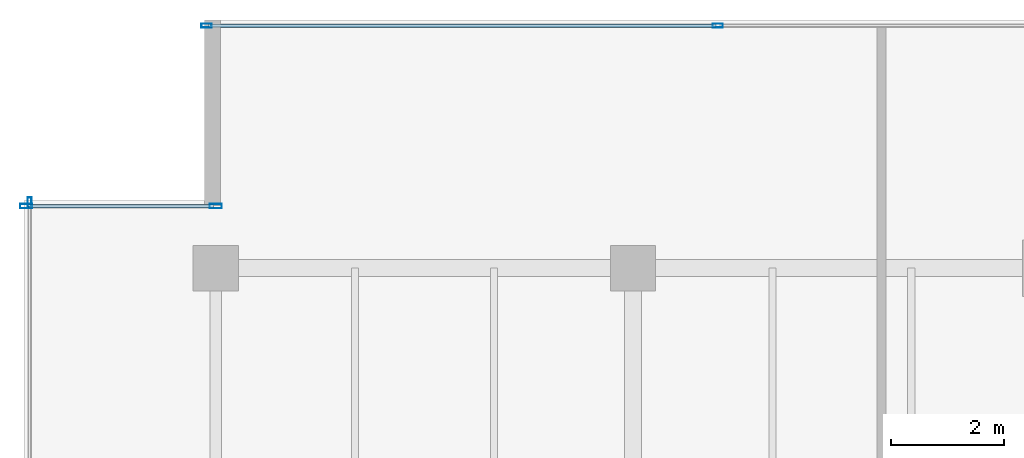
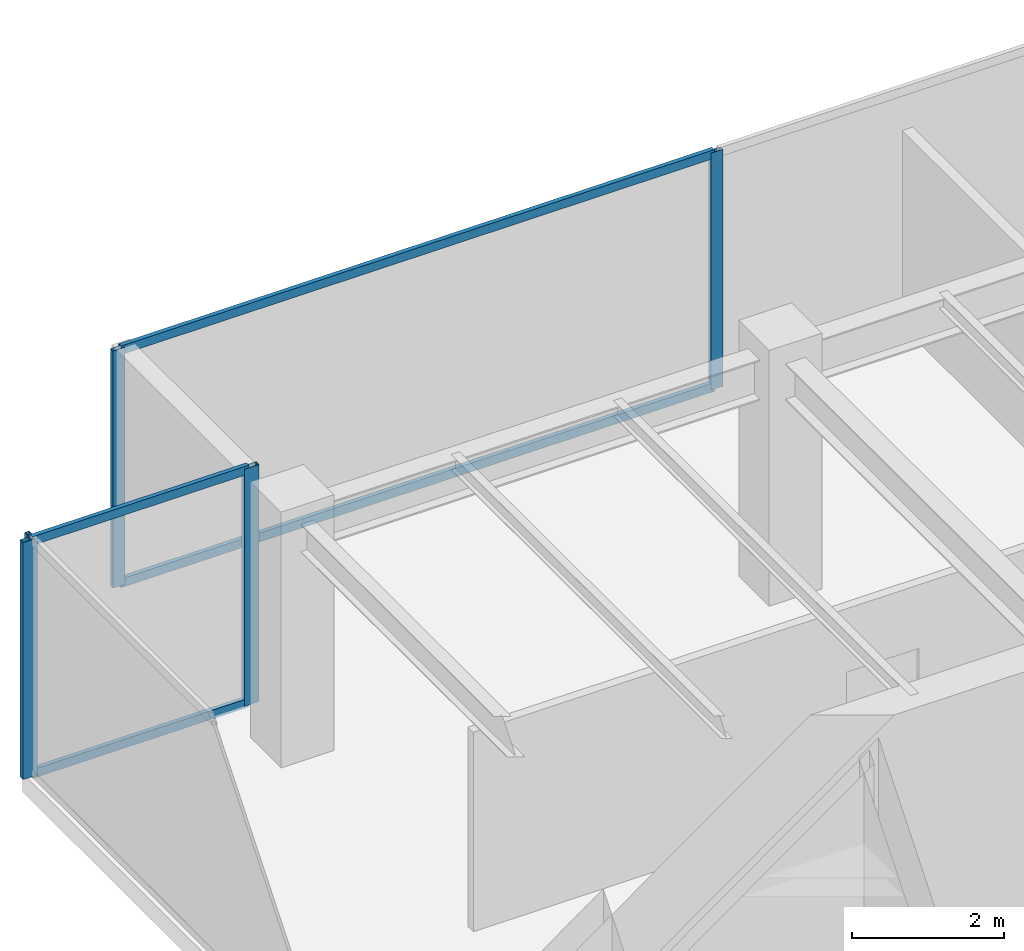
# One storey, part 15 of 33: 9 members, 3 elements without a shape of their own.
"""IFC4 building model written with IfcOpenShell, lengths in metres."""

from ifc_helpers import new_model, si_unit, direction, frame, origin, origin_2d, place, context, subcontext, project, spatial, hollow_rectangle, extrude, source, transform, mapped, material, layer, layer_set, material_profile, profile_set, type_object, type_shapes, element, aggregate, save


model = new_model("IFC4")

# Units and contexts
model_context = context("Model", 3, precision=1e-05, world=origin(), true_north=direction((0.0, 1.0)))
body_context = subcontext(model_context, "Body", "Model", "MODEL_VIEW")
ifc_project = project(units=[si_unit("LENGTHUNIT", "METRE"), si_unit("AREAUNIT", "SQUARE_METRE"), si_unit("VOLUMEUNIT", "CUBIC_METRE"), si_unit("PLANEANGLEUNIT", "RADIAN"), si_unit("MASSUNIT", "GRAM", prefix="KILO")], contexts=[model_context])

# Site, building, storey
site_placement = place(None, origin())
site = spatial("IfcSite", under=ifc_project, at=site_placement, CompositionType="ELEMENT")
building_placement = place(site_placement, origin())
building = spatial("IfcBuilding", under=site, at=building_placement, Name="Haelvirn Gate Laboratories", CompositionType="ELEMENT")
storey_placement = place(building_placement, frame((0.0, 0.0, 279.300048828125)))
storey = spatial("IfcBuildingStorey", under=building, at=storey_placement, Name="L67", CompositionType="ELEMENT", Elevation=279.300048828125)

# Curtain wall, members
ifc_material_1 = material(Name="Anodised bronze unitised aluminium & triple low-E glass", Category="aluminium")
ifc_layer_1 = layer(ifc_material_1, 0.181884765625, Name="CW-SYS-5")
ifc_layer_set_1 = layer_set([ifc_layer_1], Name="Anodised bronze unitised aluminium & triple low-E glass")
curtain_wall_type_1 = type_object("IfcCurtainWallType", Name="CW-SYS-5", PredefinedType="NOTDEFINED", material=ifc_layer_set_1)
curtain_wall_1_placement = place(storey_placement, origin())
curtain_wall_1 = element("IfcCurtainWall", 1, at=curtain_wall_1_placement, inside=storey, type_object=curtain_wall_type_1, Name="L67 Unitised Curtain Wall CW-L67-P0-E16-1", PredefinedType="NOTDEFINED")
ifc_material_2 = material(Name="Extruded aluminium 6063-T6 (anodised bronze)", Category="aluminium")
ifc_material_profile_1 = material_profile(ifc_material_2, hollow_rectangle(XDim=0.06494140625, YDim=0.139892578125, WallThickness=0.00390625, at=origin_2d()), Name="CWT-140x65x4")
ifc_profile_set_1 = profile_set([ifc_material_profile_1], Name="Extruded aluminium 6063-T6 (anodised bronze)")
member_type_1 = type_object("IfcMemberType", Name="CWT-T140", PredefinedType="USERDEFINED", material=ifc_profile_set_1)
shared_shape_1 = source(origin(), body_context, "Body", "SweptSolid", [
    extrude(hollow_rectangle(XDim=0.06494140625, YDim=0.139892578125, WallThickness=0.00390625, at=origin_2d()), origin(), (0.0, 0.0, 1.0), 3.280029296875),
])
member_1_placement = place(storey_placement, frame((4.080078125, 42.699951171875, 0.032470703125), z_axis=(1.0, 0.0, 0.0), x_axis=(0.0, 1.0, 0.0)))
member_1 = element("IfcMember", 2, at=member_1_placement, type_object=member_type_1, Name="CW5 transom 1.1", ObjectType="TRANSOM", PredefinedType="USERDEFINED", context=body_context, shape_type="MappedRepresentation", body=[
    mapped(shared_shape_1, transform((0.0, 0.0, 0.0), scale=1.0)),
])
member_2_placement = place(storey_placement, frame((4.080078125, 42.699951171875, 3.767333984375), z_axis=(1.0, 0.0, 0.0), x_axis=(0.0, 1.0, 0.0)))
member_2 = element("IfcMember", 3, at=member_2_placement, type_object=member_type_1, Name="CW5 transom 1.2", ObjectType="TRANSOM", PredefinedType="USERDEFINED", context=body_context, shape_type="MappedRepresentation", body=[
    mapped(shared_shape_1, transform((0.0, 0.0, 0.0), scale=1.0)),
])

ifc_layer_2 = layer(ifc_material_1, 0.176025390625, Name="CW-SYS-4")
ifc_layer_set_2 = layer_set([ifc_layer_2], Name="Anodised bronze unitised aluminium & triple low-E glass")
curtain_wall_type_2 = type_object("IfcCurtainWallType", Name="CW-SYS-4", PredefinedType="NOTDEFINED", material=ifc_layer_set_2)
curtain_wall_2_placement = place(storey_placement, origin())
curtain_wall_2 = element("IfcCurtainWall", 4, at=curtain_wall_2_placement, inside=storey, type_object=curtain_wall_type_2, Name="L67 Unitised Curtain Wall CW-L67-P0-E14-1", PredefinedType="NOTDEFINED")
ifc_material_profile_2 = material_profile(ifc_material_2, hollow_rectangle(XDim=0.070068359375, YDim=0.179931640625, WallThickness=0.0048828125, at=origin_2d()), Name="CWM-180x70x5")
ifc_profile_set_2 = profile_set([ifc_material_profile_2], Name="Extruded aluminium 6063-T6 (anodised bronze)")
member_type_2 = type_object("IfcMemberType", Name="CWM-T180", PredefinedType="MULLION", material=ifc_profile_set_2)
shared_shape_2 = source(origin(), body_context, "Body", "SweptSolid", [
    extrude(hollow_rectangle(XDim=0.070068359375, YDim=0.179931640625, WallThickness=0.0048828125, at=origin_2d()), origin(), (0.0, 0.0, 1.0), 3.800048828125),
])
type_shapes(member_type_2, [shared_shape_2])
member_3_placement = place(storey_placement, frame((7.235107421875, 45.89990234375, 0.0), z_axis=(0.0, 0.0, 1.0), x_axis=(0.0, 1.0, 0.0)))
member_3 = element("IfcMember", 5, at=member_3_placement, type_object=member_type_2, Name="CW4 mullion 1", PredefinedType="MULLION", context=body_context, shape_type="MappedRepresentation", body=[
    mapped(shared_shape_2, transform((0.0, 0.0, 0.0), scale=1.0)),
])
member_4_placement = place(storey_placement, frame((16.300048828125, 45.89990234375, 0.0), z_axis=(0.0, 0.0, 1.0), x_axis=(0.0, 1.0, 0.0)))
member_4 = element("IfcMember", 6, at=member_4_placement, type_object=member_type_2, Name="CW4 mullion 2", PredefinedType="MULLION", context=body_context, shape_type="MappedRepresentation", body=[
    mapped(shared_shape_2, transform((0.0, 0.0, 0.0), scale=1.0)),
])

# Curtain wall, member
curtain_wall_3_placement = place(storey_placement, origin())
curtain_wall_3 = element("IfcCurtainWall", 7, at=curtain_wall_3_placement, inside=storey, type_object=curtain_wall_type_2, Name="L67 Unitised Curtain Wall CW-L67-P0-E17", PredefinedType="NOTDEFINED")
member_5_placement = place(storey_placement, frame((4.10009765625, 42.764892578125, 0.0), z_axis=(0.0, 0.0, 1.0), x_axis=(1.0, 0.0, 0.0)))
member_5 = element("IfcMember", 8, at=member_5_placement, type_object=member_type_2, Name="CW4 mullion 1", PredefinedType="MULLION", context=body_context, shape_type="MappedRepresentation", body=[
    mapped(shared_shape_2, transform((0.0, 0.0, 0.0), scale=1.0)),
])
aggregate(curtain_wall_3, [member_5])

# Member
shared_shape_3 = source(origin(), body_context, "Body", "SweptSolid", [
    extrude(hollow_rectangle(XDim=0.06494140625, YDim=0.139892578125, WallThickness=0.00390625, at=origin_2d()), origin(), (0.0, 0.0, 1.0), 8.994873046875),
])
type_shapes(member_type_1, [shared_shape_1, shared_shape_3])
member_6_placement = place(storey_placement, frame((7.27001953125, 45.89990234375, 0.032470703125), z_axis=(1.0, 0.0, 0.0), x_axis=(0.0, 1.0, 0.0)))
member_6 = element("IfcMember", 9, at=member_6_placement, type_object=member_type_1, Name="CW4 transom 1.1", ObjectType="TRANSOM", PredefinedType="USERDEFINED", context=body_context, shape_type="MappedRepresentation", body=[
    mapped(shared_shape_3, transform((0.0, 0.0, 0.0), scale=1.0)),
])

member_7_placement = place(storey_placement, frame((7.27001953125, 45.89990234375, 3.767333984375), z_axis=(1.0, 0.0, 0.0), x_axis=(0.0, 1.0, 0.0)))
member_7 = element("IfcMember", 10, at=member_7_placement, type_object=member_type_1, Name="CW4 transom 1.2", ObjectType="TRANSOM", PredefinedType="USERDEFINED", context=body_context, shape_type="MappedRepresentation", body=[
    mapped(shared_shape_3, transform((0.0, 0.0, 0.0), scale=1.0)),
])

aggregate(curtain_wall_2, [member_3, member_4, member_6, member_7])

ifc_material_profile_3 = material_profile(ifc_material_2, hollow_rectangle(XDim=0.080078125, YDim=0.219970703125, WallThickness=0.006103515625, at=origin_2d()), Name="CWM-220x80x6")
ifc_profile_set_3 = profile_set([ifc_material_profile_3], Name="Extruded aluminium 6063-T6 (anodised bronze)")
member_type_3 = type_object("IfcMemberType", Name="CWM-T220", PredefinedType="MULLION", material=ifc_profile_set_3)
shared_shape_4 = source(origin(), body_context, "Body", "SweptSolid", [
    extrude(hollow_rectangle(XDim=0.080078125, YDim=0.219970703125, WallThickness=0.006103515625, at=origin_2d()), origin(), (0.0, 0.0, 1.0), 3.800048828125),
])
type_shapes(member_type_3, [shared_shape_4])
member_8_placement = place(storey_placement, frame((4.0400390625, 42.699951171875, 0.0), z_axis=(0.0, 0.0, 1.0), x_axis=(0.0, 1.0, 0.0)))
member_8 = element("IfcMember", 11, at=member_8_placement, type_object=member_type_3, Name="CW5 mullion 1", PredefinedType="MULLION", context=body_context, shape_type="MappedRepresentation", body=[
    mapped(shared_shape_4, transform((0.0, 0.0, 0.0), scale=1.0)),
])

member_9_placement = place(storey_placement, frame((7.39990234375, 42.699951171875, 0.0), z_axis=(0.0, 0.0, 1.0), x_axis=(0.0, 1.0, 0.0)))
member_9 = element("IfcMember", 12, at=member_9_placement, type_object=member_type_3, Name="CW5 mullion 2", PredefinedType="MULLION", context=body_context, shape_type="MappedRepresentation", body=[
    mapped(shared_shape_4, transform((0.0, 0.0, 0.0), scale=1.0)),
])

aggregate(curtain_wall_1, [member_8, member_9, member_1, member_2])

save(model, "model.ifc")
